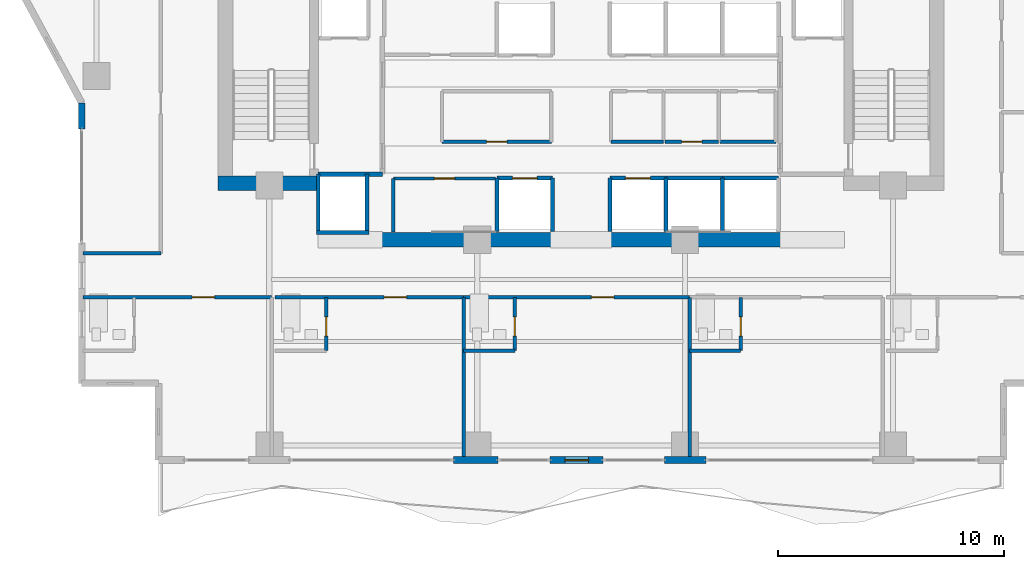
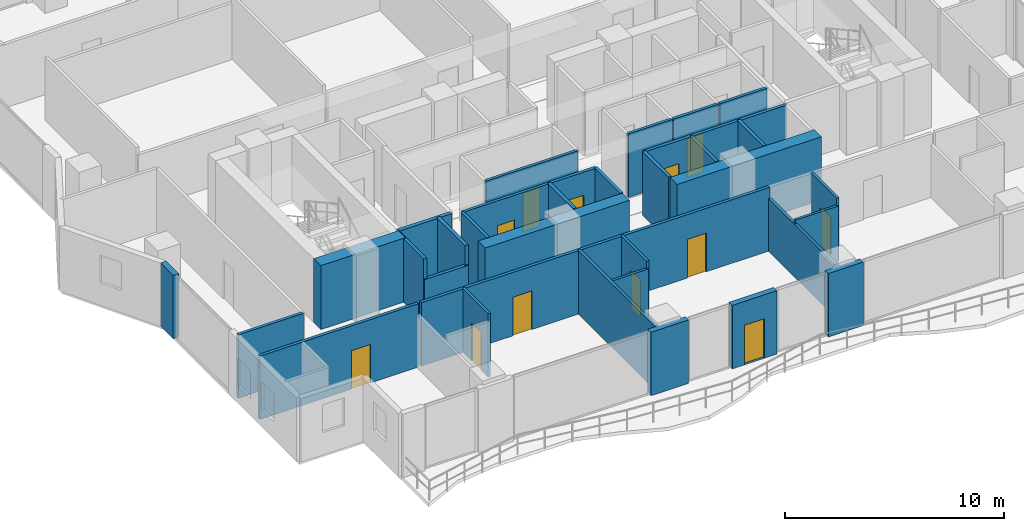
# One storey, part 24 of 32: 37 walls, 12 doors, 12 openings.
"""IFC4 building model written with IfcOpenShell, lengths in metres."""

from ifc_helpers import new_model, si_unit, direction, frame, frame_2d, origin, place, context, subcontext, project, spatial, rectangle, extrude, material, layer, layer_set, type_object, element, fill, save


model = new_model("IFC4")

# Units and contexts
model_context = context("Model", 3, precision=1e-05, world=origin(), true_north=direction((0.0, 1.0)))
body_context = subcontext(model_context, "Body", "Model", "MODEL_VIEW")
ifc_project = project(units=[si_unit("LENGTHUNIT", "METRE"), si_unit("AREAUNIT", "SQUARE_METRE"), si_unit("VOLUMEUNIT", "CUBIC_METRE"), si_unit("PLANEANGLEUNIT", "RADIAN"), si_unit("MASSUNIT", "GRAM", prefix="KILO")], contexts=[model_context])

# Site, building, storey
site_placement = place(None, origin())
site = spatial("IfcSite", under=ifc_project, at=site_placement, CompositionType="ELEMENT")
building_placement = place(site_placement, origin())
building = spatial("IfcBuilding", under=site, at=building_placement, Name="Zuhayl Quay Hotel", CompositionType="ELEMENT")
storey_placement = place(building_placement, frame((0.0, 0.0, 177.39990234375)))
storey = spatial("IfcBuildingStorey", under=building, at=storey_placement, Name="L44", CompositionType="ELEMENT", Elevation=177.39990234375)

# Walls
ifc_material_1 = material(Name="Concrete C50/60", Category="concrete")
ifc_layer_1 = layer(ifc_material_1, 0.64990234375, Name="Concrete C50/60", Category="concrete")
ifc_layer_set_1 = layer_set([ifc_layer_1], Name="Concrete C50/60")
wall_type_1 = type_object("IfcWallType", Name="WL_CORE_650", PredefinedType="SHEAR", material=ifc_layer_set_1)
wall_1_placement = place(storey_placement, frame((-16.06005859375, 4.64501953125, 0.0), z_axis=(0.0, 0.0, 1.0), x_axis=(1.0, 0.0, 0.0)))
element("IfcWall", 1, at=wall_1_placement, inside=storey, type_object=wall_type_1, Name="L44 Core Shear Wall CW_SW", PredefinedType="SHEAR", context=body_context, shape_type="SweptSolid", body=[
    extrude(rectangle(XDim=4.4599609375, YDim=0.64990234375, at=frame_2d((2.22998046875, 0.0))), origin(), (0.0, 0.0, 1.0), 3.56005859375),
])
for number, where, z_axis, x_axis, name in (
    (2, (-8.85009765625, 2.14990234375, 0.0), (0.0, 0.0, 1.0), (1.0, 0.0, 0.0), "L44 Core Shear Wall CW_SC_W"),
    (3, (1.25, 2.14990234375, 0.0), (0.0, 0.0, 1.0), (1.0, 0.0, 0.0), "L44 Core Shear Wall CW_SC_E"),
):
    element("IfcWall", number, at=place(storey_placement, frame(where, z_axis=z_axis, x_axis=x_axis)), inside=storey, type_object=wall_type_1, Name=name, PredefinedType="SHEAR", context=body_context, shape_type="SweptSolid", body=[
        extrude(rectangle(XDim=7.60009765625, YDim=0.64990234375, at=frame_2d((3.800048828125, 0.0))), origin(), (0.0, 0.0, 1.0), 3.530029296875),
    ])
ifc_material_2 = material(Name="Precast concrete C45/55", Category="concrete")
ifc_layer_2 = layer(ifc_material_2, 0.300048828125, Name="Precast concrete C45/55", Category="concrete")
ifc_layer_set_2 = layer_set([ifc_layer_2], Name="Precast concrete C45/55")
wall_type_2 = type_object("IfcWallType", Name="WL_EXT_300", PredefinedType="STANDARD", material=ifc_layer_set_2)
wall_2_placement = place(storey_placement, frame((-22.10009765625, 7.050048828125, 0.0), z_axis=(0.0, 0.0, 1.0), x_axis=(0.0, 1.0, 0.0)))
element("IfcWall", 4, at=wall_2_placement, inside=storey, type_object=wall_type_2, Name="L44 Exterior Precast Wall ENV_L44_E02_EW2", PredefinedType="STANDARD", context=body_context, shape_type="SweptSolid", body=[
    extrude(rectangle(XDim=1.14990234375, YDim=0.300048828125, at=frame_2d((0.574951171875, 0.0))), origin(), (0.0, 0.0, 1.0), 3.530029296875),
])
wall_3_placement = place(storey_placement, frame((5.52001953125, -7.60009765625, 0.0), z_axis=(0.0, 0.0, 1.0), x_axis=(-1.0, 0.0, 0.0)))
element("IfcWall", 5, at=wall_3_placement, inside=storey, type_object=wall_type_2, Name="L44 Exterior Precast Wall ENV_L44_S_EW3", PredefinedType="STANDARD", context=body_context, shape_type="SweptSolid", body=[
    extrude(rectangle(XDim=1.840087890625, YDim=0.300048828125, at=frame_2d((0.919921875, 0.0))), origin(), (0.0, 0.0, 1.0), 3.530029296875),
])

# Wall, opening, door
wall_4_placement = place(storey_placement, frame((0.97509765625, -7.60009765625, 0.0), z_axis=(0.0, 0.0, 1.0), x_axis=(-1.0, 0.0, 0.0)))
wall_4 = element("IfcWall", 6, at=wall_4_placement, inside=storey, type_object=wall_type_2, Name="L44 Exterior Precast Wall ENV_L44_S_EW4", PredefinedType="STANDARD", context=body_context, shape_type="SweptSolid", body=[
    extrude(rectangle(XDim=2.35009765625, YDim=0.300048828125, at=frame_2d((1.175048828125, 0.0))), origin(), (0.0, 0.0, 1.0), 3.530029296875),
])
opening_1_placement = place(wall_4_placement, frame((0.64990234375, 0.0, 0.0)))
opening_1 = element("IfcOpeningElement", 7, at=opening_1_placement, cuts=wall_4, Name="Opening DG1", PredefinedType="OPENING", context=body_context, shape_type="SweptSolid", body=[
    extrude(rectangle(XDim=1.050048828125, YDim=2.199951171875, at=frame_2d((0.52490234375, 1.10009765625))), frame((0.0, 0.159912109375, 0.0), z_axis=(0.0, -1.0, 0.0), x_axis=(1.0, 0.0, 0.0)), (0.0, 0.0, 1.0), 0.320068359375),
])
ifc_material_3 = material(Name="Anodised Aluminium and Dark Solar Glass", Category="aluminium")
door_type_1 = type_object("IfcDoorType", Name="DR_EXT_TERR_1050", OperationType="NOTDEFINED", PredefinedType="DOOR", material=ifc_material_3)
door_1_placement = place(opening_1_placement, origin())
door_1 = element("IfcDoor", 8, at=door_1_placement, inside=storey, type_object=door_type_1, Name="L44 South Rippling Balcony Door", OperationType="SINGLE_SWING_RIGHT", OverallHeight=2.199951171875, OverallWidth=1.050048828125, PredefinedType="DOOR", context=body_context, shape_type="SweptSolid", body=[
    extrude(rectangle(XDim=1.050048828125, YDim=2.199951171875, at=frame_2d((0.52490234375, 1.10009765625))), frame((0.0, 0.02490234375, 0.0), z_axis=(0.0, -1.0, 0.0), x_axis=(1.0, 0.0, 0.0)), (0.0, 0.0, 1.0), 0.050048828125),
])
fill(opening_1, door_1)

# Wall
wall_5_placement = place(storey_placement, frame((-3.679931640625, -7.60009765625, 0.0), z_axis=(0.0, 0.0, 1.0), x_axis=(-1.0, 0.0, 0.0)))
element("IfcWall", 9, at=wall_5_placement, inside=storey, type_object=wall_type_2, Name="L44 Exterior Precast Wall ENV_L44_S_EW5", PredefinedType="STANDARD", context=body_context, shape_type="SweptSolid", body=[
    extrude(rectangle(XDim=1.969970703125, YDim=0.300048828125, at=frame_2d((0.98486328125, 0.0))), origin(), (0.0, 0.0, 1.0), 3.530029296875),
])

# Wall, opening, door
ifc_material_4 = material(Name="Acoustic Gypsum Partition STC-58")
ifc_layer_3 = layer(ifc_material_4, 0.14990234375, Name="Acoustic Gypsum Partition STC-58")
ifc_layer_set_3 = layer_set([ifc_layer_3], Name="Acoustic Gypsum Partition STC-58")
wall_type_3 = type_object("IfcWallType", Name="WL_PART_150", PredefinedType="PARTITIONING", material=ifc_layer_set_3)
wall_6_placement = place(storey_placement, frame((-8.31005859375, 4.860107421875, 0.0), z_axis=(0.0, 0.0, 1.0), x_axis=(1.0, 0.0, 0.0)))
wall_6 = element("IfcWall", 10, at=wall_6_placement, inside=storey, type_object=wall_type_3, Name="L44 Partition IW_L44_FLP_S_N", PredefinedType="PARTITIONING", context=body_context, shape_type="SweptSolid", body=[
    extrude(rectangle(XDim=4.52001953125, YDim=0.14990234375, at=frame_2d((2.260009765625, 0.0))), origin(), (0.0, 0.0, 1.0), 3.530029296875),
])
opening_2_placement = place(wall_6_placement, frame((1.81005859375, 0.0, 0.0)))
opening_2 = element("IfcOpeningElement", 11, at=opening_2_placement, cuts=wall_6, Name="Opening D06", PredefinedType="OPENING", context=body_context, shape_type="SweptSolid", body=[
    extrude(rectangle(XDim=0.89990234375, YDim=2.14990234375, at=frame_2d((0.449951171875, 1.074951171875))), frame((0.0, 0.0849609375, 0.0), z_axis=(0.0, -1.0, 0.0), x_axis=(1.0, 0.0, 0.0)), (0.0, 0.0, 1.0), 0.169921875),
])
ifc_material_5 = material(Name="Steel ASTM A992 Grade 50", Category="steel")
door_type_2 = type_object("IfcDoorType", Name="DR_INT_900", OperationType="NOTDEFINED", PredefinedType="DOOR", material=ifc_material_5)
door_2_placement = place(opening_2_placement, origin())
door_2 = element("IfcDoor", 12, at=door_2_placement, inside=storey, type_object=door_type_2, Name="L44 Tea Pantry West Door", OperationType="SINGLE_SWING_RIGHT", OverallHeight=2.14990234375, OverallWidth=0.89990234375, PredefinedType="DOOR", context=body_context, shape_type="SweptSolid", body=[
    extrude(rectangle(XDim=0.89990234375, YDim=2.14990234375, at=frame_2d((0.449951171875, 1.074951171875))), frame((0.0, 0.02490234375, 0.0), z_axis=(0.0, -1.0, 0.0), x_axis=(1.0, 0.0, 0.0)), (0.0, 0.0, 1.0), 0.050048828125),
])
fill(opening_2, door_2)

wall_7_placement = place(storey_placement, frame((-6.159912109375, 6.47998046875, 0.0), z_axis=(0.0, 0.0, 1.0), x_axis=(1.0, 0.0, 0.0)))
wall_7 = element("IfcWall", 13, at=wall_7_placement, inside=storey, type_object=wall_type_3, Name="L44 Partition IW_L44_CORE_SV_S", PredefinedType="PARTITIONING", context=body_context, shape_type="SweptSolid", body=[
    extrude(rectangle(XDim=4.83984375, YDim=0.14990234375, at=frame_2d((2.419921875, 0.0))), origin(), (0.0, 0.0, 1.0), 3.530029296875),
])
opening_3_placement = place(wall_7_placement, frame((1.969970703125, 0.0, 0.0)))
opening_3 = element("IfcOpeningElement", 14, at=opening_3_placement, cuts=wall_7, Name="Opening D06", PredefinedType="OPENING", context=body_context, shape_type="SweptSolid", body=[
    extrude(rectangle(XDim=0.89990234375, YDim=2.14990234375, at=frame_2d((0.449951171875, 1.074951171875))), frame((0.0, 0.0849609375, 0.0), z_axis=(0.0, -1.0, 0.0), x_axis=(1.0, 0.0, 0.0)), (0.0, 0.0, 1.0), 0.169921875),
])
door_3_placement = place(opening_3_placement, origin())
door_3 = element("IfcDoor", 15, at=door_3_placement, inside=storey, type_object=door_type_2, Name="L44 Core Ice and Linen Store Door", OperationType="SINGLE_SWING_RIGHT", OverallHeight=2.14990234375, OverallWidth=0.89990234375, PredefinedType="DOOR", context=body_context, shape_type="SweptSolid", body=[
    extrude(rectangle(XDim=0.89990234375, YDim=2.14990234375, at=frame_2d((0.449951171875, 1.074951171875))), frame((0.0, 0.02490234375, 0.0), z_axis=(0.0, -1.0, 0.0), x_axis=(1.0, 0.0, 0.0)), (0.0, 0.0, 1.0), 0.050048828125),
])
fill(opening_3, door_3)

wall_8_placement = place(storey_placement, frame((3.699951171875, 6.47998046875, 0.0), z_axis=(0.0, 0.0, 1.0), x_axis=(1.0, 0.0, 0.0)))
wall_8 = element("IfcWall", 16, at=wall_8_placement, inside=storey, type_object=wall_type_3, Name="L44 Partition IW_L44_CORE_E2_S", PredefinedType="PARTITIONING", context=body_context, shape_type="SweptSolid", body=[
    extrude(rectangle(XDim=2.380126953125, YDim=0.14990234375, at=frame_2d((1.18994140625, 0.0))), origin(), (0.0, 0.0, 1.0), 3.530029296875),
])
opening_4_placement = place(wall_8_placement, frame((0.739990234375, 0.0, 0.0)))
opening_4 = element("IfcOpeningElement", 17, at=opening_4_placement, cuts=wall_8, Name="Opening D06", PredefinedType="OPENING", context=body_context, shape_type="SweptSolid", body=[
    extrude(rectangle(XDim=0.89990234375, YDim=2.14990234375, at=frame_2d((0.449951171875, 1.074951171875))), frame((0.0, 0.0849609375, 0.0), z_axis=(0.0, -1.0, 0.0), x_axis=(1.0, 0.0, 0.0)), (0.0, 0.0, 1.0), 0.169921875),
])
door_4_placement = place(opening_4_placement, origin())
door_4 = element("IfcDoor", 18, at=door_4_placement, inside=storey, type_object=door_type_2, Name="L44 Data Closet Door", OperationType="SINGLE_SWING_RIGHT", OverallHeight=2.14990234375, OverallWidth=0.89990234375, PredefinedType="DOOR", context=body_context, shape_type="SweptSolid", body=[
    extrude(rectangle(XDim=0.89990234375, YDim=2.14990234375, at=frame_2d((0.449951171875, 1.074951171875))), frame((0.0, 0.02490234375, 0.0), z_axis=(0.0, -1.0, 0.0), x_axis=(1.0, 0.0, 0.0)), (0.0, 0.0, 1.0), 0.050048828125),
])
fill(opening_4, door_4)

# Walls
wall_9_placement = place(storey_placement, frame((-8.31005859375, 2.489990234375, 0.0), z_axis=(0.0, 0.0, 1.0), x_axis=(0.0, 1.0, 0.0)))
element("IfcWall", 19, at=wall_9_placement, inside=storey, type_object=wall_type_3, Name="L44 Partition IW_L44_FLP_S_W", PredefinedType="PARTITIONING", context=body_context, shape_type="SweptSolid", body=[
    extrude(rectangle(XDim=2.3701171875, YDim=0.14990234375, at=frame_2d((1.18505859375, 0.0))), origin(), (0.0, 0.0, 1.0), 3.530029296875),
])
wall_10_placement = place(storey_placement, frame((1.320068359375, 6.47998046875, 0.0), z_axis=(0.0, 0.0, 1.0), x_axis=(1.0, 0.0, 0.0)))
element("IfcWall", 20, at=wall_10_placement, inside=storey, type_object=wall_type_3, Name="L44 Partition IW_L44_CORE_E1_S", PredefinedType="PARTITIONING", context=body_context, shape_type="SweptSolid", body=[
    extrude(rectangle(XDim=2.31982421875, YDim=0.14990234375, at=frame_2d((1.159912109375, 0.0))), origin(), (0.0, 0.0, 1.0), 3.530029296875),
])
wall_11_placement = place(storey_placement, frame((6.139892578125, 6.47998046875, 0.0), z_axis=(0.0, 0.0, 1.0), x_axis=(1.0, 0.0, 0.0)))
element("IfcWall", 21, at=wall_11_placement, inside=storey, type_object=wall_type_3, Name="L44 Partition IW_L44_CORE_E3_S", PredefinedType="PARTITIONING", context=body_context, shape_type="SweptSolid", body=[
    extrude(rectangle(XDim=2.47021484375, YDim=0.14990234375, at=frame_2d((1.235107421875, 0.0))), origin(), (0.0, 0.0, 1.0), 3.530029296875),
])
wall_12_placement = place(storey_placement, frame((-5.199951171875, -7.52001953125, 0.0), z_axis=(0.0, 0.0, 1.0), x_axis=(0.0, 1.0, 0.0)))
element("IfcWall", 22, at=wall_12_placement, inside=storey, type_object=wall_type_3, Name="L44 Partition IW_L44_SU01B_E", PredefinedType="PARTITIONING", context=body_context, shape_type="SweptSolid", body=[
    extrude(rectangle(XDim=7.1201171875, YDim=0.14990234375, at=frame_2d((3.56005859375, 0.0))), origin(), (0.0, 0.0, 1.0), 3.530029296875),
])
wall_13_placement = place(storey_placement, frame((4.800048828125, -7.52001953125, 0.0), z_axis=(0.0, 0.0, 1.0), x_axis=(0.0, 1.0, 0.0)))
element("IfcWall", 23, at=wall_13_placement, inside=storey, type_object=wall_type_3, Name="L44 Partition IW_L44_SU02_E", PredefinedType="PARTITIONING", context=body_context, shape_type="SweptSolid", body=[
    extrude(rectangle(XDim=7.1201171875, YDim=0.14990234375, at=frame_2d((3.56005859375, 0.0))), origin(), (0.0, 0.0, 1.0), 2.923095703125),
])
wall_14_placement = place(storey_placement, frame((-22.0400390625, 1.550048828125, 0.0), z_axis=(0.0, 0.0, 1.0), x_axis=(1.0, 0.0, 0.0)))
element("IfcWall", 24, at=wall_14_placement, inside=storey, type_object=wall_type_3, Name="L44 Partition IW_L44_WPROW_1_S", PredefinedType="PARTITIONING", context=body_context, shape_type="SweptSolid", body=[
    extrude(rectangle(XDim=3.43994140625, YDim=0.14990234375, at=frame_2d((1.719970703125, 0.0))), origin(), (0.0, 0.0, 1.0), 3.530029296875),
])

# Wall, opening, door
ifc_layer_4 = layer(ifc_material_4, 0.159912109375, Name="Acoustic Gypsum Partition STC-58")
ifc_layer_set_4 = layer_set([ifc_layer_4], Name="Acoustic Gypsum Partition STC-58")
wall_type_4 = type_object("IfcWallType", Name="WL_PART_CORR_160", PredefinedType="PARTITIONING", material=ifc_layer_set_4)
wall_15_placement = place(storey_placement, frame((-22.0400390625, -0.39990234375, 0.0), z_axis=(0.0, 0.0, 1.0), x_axis=(1.0, 0.0, 0.0)))
wall_15 = element("IfcWall", 25, at=wall_15_placement, inside=storey, type_object=wall_type_4, Name="L44 Partition IW_L44_SU01A_COR", PredefinedType="PARTITIONING", context=body_context, shape_type="SweptSolid", body=[
    extrude(rectangle(XDim=8.340087890625, YDim=0.159912109375, at=frame_2d((4.169921875, 0.0))), origin(), (0.0, 0.0, 1.0), 3.530029296875),
])
opening_5_placement = place(wall_15_placement, frame((4.820068359375, 0.0, 0.0)))
opening_5 = element("IfcOpeningElement", 26, at=opening_5_placement, cuts=wall_15, Name="Opening D03L", PredefinedType="OPENING", context=body_context, shape_type="SweptSolid", body=[
    extrude(rectangle(XDim=1.0, YDim=2.14990234375, at=frame_2d((0.5, 1.074951171875))), frame((0.0, 0.08984375, 0.0), z_axis=(0.0, -1.0, 0.0), x_axis=(1.0, 0.0, 0.0)), (0.0, 0.0, 1.0), 0.179931640625),
])
ifc_material_6 = material(Name="Solid Walnut Acoustic Fire Door")
door_type_3 = type_object("IfcDoorType", Name="DR_SUITE_1000", OperationType="NOTDEFINED", PredefinedType="DOOR", material=ifc_material_6)
door_5_placement = place(opening_5_placement, origin())
door_5 = element("IfcDoor", 27, at=door_5_placement, inside=storey, type_object=door_type_3, Name="L44 City-View Junior Suite L44-01A Entrance Door", OperationType="SINGLE_SWING_RIGHT", OverallHeight=2.14990234375, OverallWidth=1.0, PredefinedType="DOOR", context=body_context, shape_type="SweptSolid", body=[
    extrude(rectangle(XDim=1.0, YDim=2.14990234375, at=frame_2d((0.5, 1.074951171875))), frame((0.0, 0.02490234375, 0.0), z_axis=(0.0, -1.0, 0.0), x_axis=(1.0, 0.0, 0.0)), (0.0, 0.0, 1.0), 0.050048828125),
])
fill(opening_5, door_5)

wall_16_placement = place(storey_placement, frame((-13.5400390625, -0.39990234375, 0.0), z_axis=(0.0, 0.0, 1.0), x_axis=(1.0, 0.0, 0.0)))
wall_16 = element("IfcWall", 28, at=wall_16_placement, inside=storey, type_object=wall_type_4, Name="L44 Partition IW_L44_SU01B_COR", PredefinedType="PARTITIONING", context=body_context, shape_type="SweptSolid", body=[
    extrude(rectangle(XDim=8.340087890625, YDim=0.159912109375, at=frame_2d((4.169921875, 0.0))), origin(), (0.0, 0.0, 1.0), 3.530029296875),
])
opening_6_placement = place(wall_16_placement, frame((4.820068359375, 0.0, 0.0)))
opening_6 = element("IfcOpeningElement", 29, at=opening_6_placement, cuts=wall_16, Name="Opening D03L", PredefinedType="OPENING", context=body_context, shape_type="SweptSolid", body=[
    extrude(rectangle(XDim=1.0, YDim=2.14990234375, at=frame_2d((0.5, 1.074951171875))), frame((0.0, 0.08984375, 0.0), z_axis=(0.0, -1.0, 0.0), x_axis=(1.0, 0.0, 0.0)), (0.0, 0.0, 1.0), 0.179931640625),
])
door_6_placement = place(opening_6_placement, origin())
door_6 = element("IfcDoor", 30, at=door_6_placement, inside=storey, type_object=door_type_3, Name="L44 City-View Junior Suite L44-01B Entrance Door", OperationType="SINGLE_SWING_RIGHT", OverallHeight=2.14990234375, OverallWidth=1.0, PredefinedType="DOOR", context=body_context, shape_type="SweptSolid", body=[
    extrude(rectangle(XDim=1.0, YDim=2.14990234375, at=frame_2d((0.5, 1.074951171875))), frame((0.0, 0.02490234375, 0.0), z_axis=(0.0, -1.0, 0.0), x_axis=(1.0, 0.0, 0.0)), (0.0, 0.0, 1.0), 0.050048828125),
])
fill(opening_6, door_6)

wall_17_placement = place(storey_placement, frame((-5.199951171875, -0.39990234375, 0.0), z_axis=(0.0, 0.0, 1.0), x_axis=(1.0, 0.0, 0.0)))
wall_17 = element("IfcWall", 31, at=wall_17_placement, inside=storey, type_object=wall_type_4, Name="L44 Partition IW_L44_SU02_COR", PredefinedType="PARTITIONING", context=body_context, shape_type="SweptSolid", body=[
    extrude(rectangle(XDim=10.0, YDim=0.159912109375, at=frame_2d((5.0, 0.0))), origin(), (0.0, 0.0, 1.0), 3.530029296875),
])
opening_7_placement = place(wall_17_placement, frame((5.64990234375, 0.0, 0.0)))
opening_7 = element("IfcOpeningElement", 32, at=opening_7_placement, cuts=wall_17, Name="Opening D03L", PredefinedType="OPENING", context=body_context, shape_type="SweptSolid", body=[
    extrude(rectangle(XDim=1.0, YDim=2.14990234375, at=frame_2d((0.5, 1.074951171875))), frame((0.0, 0.08984375, 0.0), z_axis=(0.0, -1.0, 0.0), x_axis=(1.0, 0.0, 0.0)), (0.0, 0.0, 1.0), 0.179931640625),
])
door_7_placement = place(opening_7_placement, origin())
door_7 = element("IfcDoor", 33, at=door_7_placement, inside=storey, type_object=door_type_3, Name="L44 City-View Junior Suite L44-02 Entrance Door", OperationType="SINGLE_SWING_RIGHT", OverallHeight=2.14990234375, OverallWidth=1.0, PredefinedType="DOOR", context=body_context, shape_type="SweptSolid", body=[
    extrude(rectangle(XDim=1.0, YDim=2.14990234375, at=frame_2d((0.5, 1.074951171875))), frame((0.0, 0.02490234375, 0.0), z_axis=(0.0, -1.0, 0.0), x_axis=(1.0, 0.0, 0.0)), (0.0, 0.0, 1.0), 0.050048828125),
])
fill(opening_7, door_7)

ifc_material_7 = material(Name="Moisture-Resistant Sanitarychase Gypsum")
ifc_layer_5 = layer(ifc_material_7, 0.135009765625, Name="Moisture-Resistant Sanitarychase Gypsum")
ifc_layer_set_5 = layer_set([ifc_layer_5], Name="Moisture-Resistant Sanitarychase Gypsum")
wall_type_5 = type_object("IfcWallType", Name="WL_PART_PLUMB_150", PredefinedType="PLUMBINGWALL", material=ifc_layer_set_5)
wall_18_placement = place(storey_placement, frame((-11.280029296875, -2.760009765625, 0.0), z_axis=(0.0, 0.0, 1.0), x_axis=(0.0, 1.0, 0.0)))
wall_18 = element("IfcWall", 34, at=wall_18_placement, inside=storey, type_object=wall_type_5, Name="L44 Partition IW_L44_SU01B_BE", PredefinedType="PLUMBINGWALL", context=body_context, shape_type="SweptSolid", body=[
    extrude(rectangle(XDim=2.360107421875, YDim=0.135009765625, at=frame_2d((1.18017578125, 0.0))), origin(), (0.0, 0.0, 1.0), 3.530029296875),
])
opening_8_placement = place(wall_18_placement, frame((0.64990234375, 0.0, 0.0)))
opening_8 = element("IfcOpeningElement", 35, at=opening_8_placement, cuts=wall_18, Name="Opening D04", PredefinedType="OPENING", context=body_context, shape_type="SweptSolid", body=[
    extrude(rectangle(XDim=0.85009765625, YDim=2.10009765625, at=frame_2d((0.425048828125, 1.050048828125))), frame((0.0, 0.077392578125, 0.0), z_axis=(0.0, -1.0, 0.0), x_axis=(1.0, 0.0, 0.0)), (0.0, 0.0, 1.0), 0.155029296875),
])
ifc_material_8 = material(Name="Moisture-Resistant Walnut Veneer")
door_type_4 = type_object("IfcDoorType", Name="DR_BATH_850", OperationType="NOTDEFINED", PredefinedType="DOOR", material=ifc_material_8)
door_8_placement = place(opening_8_placement, origin())
door_8 = element("IfcDoor", 36, at=door_8_placement, inside=storey, type_object=door_type_4, Name="L44 City-View Junior Suite L44-01B En-Suite Door", OperationType="SINGLE_SWING_LEFT", OverallHeight=2.10009765625, OverallWidth=0.85009765625, PredefinedType="DOOR", context=body_context, shape_type="SweptSolid", body=[
    extrude(rectangle(XDim=0.85009765625, YDim=2.10009765625, at=frame_2d((0.425048828125, 1.050048828125))), frame((0.0, 0.02490234375, 0.0), z_axis=(0.0, -1.0, 0.0), x_axis=(1.0, 0.0, 0.0)), (0.0, 0.0, 1.0), 0.050048828125),
])
fill(opening_8, door_8)

wall_19_placement = place(storey_placement, frame((-2.93994140625, -2.760009765625, 0.0), z_axis=(0.0, 0.0, 1.0), x_axis=(0.0, 1.0, 0.0)))
wall_19 = element("IfcWall", 37, at=wall_19_placement, inside=storey, type_object=wall_type_5, Name="L44 Partition IW_L44_SU02_BE", PredefinedType="PLUMBINGWALL", context=body_context, shape_type="SweptSolid", body=[
    extrude(rectangle(XDim=2.360107421875, YDim=0.135009765625, at=frame_2d((1.18017578125, 0.0))), origin(), (0.0, 0.0, 1.0), 3.530029296875),
])
opening_9_placement = place(wall_19_placement, frame((0.64990234375, 0.0, 0.0)))
opening_9 = element("IfcOpeningElement", 38, at=opening_9_placement, cuts=wall_19, Name="Opening D04", PredefinedType="OPENING", context=body_context, shape_type="SweptSolid", body=[
    extrude(rectangle(XDim=0.85009765625, YDim=2.10009765625, at=frame_2d((0.425048828125, 1.050048828125))), frame((0.0, 0.077392578125, 0.0), z_axis=(0.0, -1.0, 0.0), x_axis=(1.0, 0.0, 0.0)), (0.0, 0.0, 1.0), 0.155029296875),
])
door_9_placement = place(opening_9_placement, origin())
door_9 = element("IfcDoor", 39, at=door_9_placement, inside=storey, type_object=door_type_4, Name="L44 City-View Junior Suite L44-02 En-Suite Door", OperationType="SINGLE_SWING_LEFT", OverallHeight=2.10009765625, OverallWidth=0.85009765625, PredefinedType="DOOR", context=body_context, shape_type="SweptSolid", body=[
    extrude(rectangle(XDim=0.85009765625, YDim=2.10009765625, at=frame_2d((0.425048828125, 1.050048828125))), frame((0.0, 0.02490234375, 0.0), z_axis=(0.0, -1.0, 0.0), x_axis=(1.0, 0.0, 0.0)), (0.0, 0.0, 1.0), 0.050048828125),
])
fill(opening_9, door_9)

wall_20_placement = place(storey_placement, frame((7.06005859375, -2.760009765625, 0.0), z_axis=(0.0, 0.0, 1.0), x_axis=(0.0, 1.0, 0.0)))
wall_20 = element("IfcWall", 40, at=wall_20_placement, inside=storey, type_object=wall_type_5, Name="L44 Partition IW_L44_SU03A_BE", PredefinedType="PLUMBINGWALL", context=body_context, shape_type="SweptSolid", body=[
    extrude(rectangle(XDim=2.360107421875, YDim=0.135009765625, at=frame_2d((1.18017578125, 0.0))), origin(), (0.0, 0.0, 1.0), 3.530029296875),
])
opening_10_placement = place(wall_20_placement, frame((0.64990234375, 0.0, 0.0)))
opening_10 = element("IfcOpeningElement", 41, at=opening_10_placement, cuts=wall_20, Name="Opening D04", PredefinedType="OPENING", context=body_context, shape_type="SweptSolid", body=[
    extrude(rectangle(XDim=0.85009765625, YDim=2.10009765625, at=frame_2d((0.425048828125, 1.050048828125))), frame((0.0, 0.077392578125, 0.0), z_axis=(0.0, -1.0, 0.0), x_axis=(1.0, 0.0, 0.0)), (0.0, 0.0, 1.0), 0.155029296875),
])
door_10_placement = place(opening_10_placement, origin())
door_10 = element("IfcDoor", 42, at=door_10_placement, inside=storey, type_object=door_type_4, Name="L44 City-View Junior Suite L44-03A En-Suite Door", OperationType="SINGLE_SWING_LEFT", OverallHeight=2.10009765625, OverallWidth=0.85009765625, PredefinedType="DOOR", context=body_context, shape_type="SweptSolid", body=[
    extrude(rectangle(XDim=0.85009765625, YDim=2.10009765625, at=frame_2d((0.425048828125, 1.050048828125))), frame((0.0, 0.02490234375, 0.0), z_axis=(0.0, -1.0, 0.0), x_axis=(1.0, 0.0, 0.0)), (0.0, 0.0, 1.0), 0.050048828125),
])
fill(opening_10, door_10)

# Walls
for number, where, z_axis, x_axis, name in (
    (43, (-5.199951171875, -2.760009765625, 0.0), (0.0, 0.0, 1.0), (1.0, 0.0, 0.0), "L44 Partition IW_L44_SU02_BS"),
    (44, (4.800048828125, -2.760009765625, 0.0), (0.0, 0.0, 1.0), (1.0, 0.0, 0.0), "L44 Partition IW_L44_SU03A_BS"),
):
    element("IfcWall", number, at=place(storey_placement, frame(where, z_axis=z_axis, x_axis=x_axis)), inside=storey, type_object=wall_type_5, Name=name, PredefinedType="PLUMBINGWALL", context=body_context, shape_type="SweptSolid", body=[
        extrude(rectangle(XDim=2.260009765625, YDim=0.135009765625, at=frame_2d((1.1298828125, 0.0))), origin(), (0.0, 0.0, 1.0), 3.1240234375),
    ])

# Wall, opening, door
ifc_material_9 = material(Name="Gypsum Fireboard Assembly EI-90")
ifc_layer_6 = layer(ifc_material_9, 0.1650390625, Name="Gypsum Fireboard Assembly EI-90")
ifc_layer_set_6 = layer_set([ifc_layer_6], Name="Gypsum Fireboard Assembly EI-90")
wall_type_6 = type_object("IfcWallType", Name="WL_PART_SHAFT_160", PredefinedType="PARTITIONING", material=ifc_layer_set_6)
wall_21_placement = place(storey_placement, frame((-3.72998046875, 4.8798828125, 0.0), z_axis=(0.0, 0.0, 1.0), x_axis=(1.0, 0.0, 0.0)))
wall_21 = element("IfcWall", 45, at=wall_21_placement, inside=storey, type_object=wall_type_6, Name="L44 Partition IW_L44_SH_MP1_F", PredefinedType="PARTITIONING", context=body_context, shape_type="SweptSolid", body=[
    extrude(rectangle(XDim=2.4599609375, YDim=0.1650390625, at=frame_2d((1.22998046875, 0.0))), origin(), (0.0, 0.0, 1.0), 3.530029296875),
])
opening_11_placement = place(wall_21_placement, frame((0.679931640625, 0.0, 0.0)))
opening_11 = element("IfcOpeningElement", 46, at=opening_11_placement, cuts=wall_21, Name="Opening LD1", PredefinedType="OPENING", context=body_context, shape_type="SweptSolid", body=[
    extrude(rectangle(XDim=1.10009765625, YDim=2.25, at=frame_2d((0.550048828125, 1.125))), frame((0.0, 0.092529296875, 0.0), z_axis=(0.0, -1.0, 0.0), x_axis=(1.0, 0.0, 0.0)), (0.0, 0.0, 1.0), 0.18505859375),
])
ifc_material_10 = material(Name="Brushed Stainless Steel", Category="steel")
door_type_5 = type_object("IfcDoorType", Name="DR_LIFT_PASS_1100", OperationType="SLIDING_TO_LEFT", PredefinedType="DOOR", material=ifc_material_10)
door_11_placement = place(opening_11_placement, origin())
door_11 = element("IfcDoor", 47, at=door_11_placement, inside=storey, type_object=door_type_5, Name="L44 Lift MP1 Sliding Landing Door", OperationType="SLIDING_TO_LEFT", OverallHeight=2.25, OverallWidth=1.10009765625, PredefinedType="DOOR", context=body_context, shape_type="SweptSolid", body=[
    extrude(rectangle(XDim=1.10009765625, YDim=2.25, at=frame_2d((0.550048828125, 1.125))), frame((0.0, 0.02490234375, 0.0), z_axis=(0.0, -1.0, 0.0), x_axis=(1.0, 0.0, 0.0)), (0.0, 0.0, 1.0), 0.050048828125),
])
fill(opening_11, door_11)

wall_22_placement = place(storey_placement, frame((1.27001953125, 4.8798828125, 0.0), z_axis=(0.0, 0.0, 1.0), x_axis=(1.0, 0.0, 0.0)))
wall_22 = element("IfcWall", 48, at=wall_22_placement, inside=storey, type_object=wall_type_6, Name="L44 Partition IW_L44_SH_MP2_F", PredefinedType="PARTITIONING", context=body_context, shape_type="SweptSolid", body=[
    extrude(rectangle(XDim=2.47998046875, YDim=0.1650390625, at=frame_2d((1.239990234375, 0.0))), origin(), (0.0, 0.0, 1.0), 3.530029296875),
])
opening_12_placement = place(wall_22_placement, frame((0.68994140625, 0.0, 0.0)))
opening_12 = element("IfcOpeningElement", 49, at=opening_12_placement, cuts=wall_22, Name="Opening LD1", PredefinedType="OPENING", context=body_context, shape_type="SweptSolid", body=[
    extrude(rectangle(XDim=1.10009765625, YDim=2.25, at=frame_2d((0.550048828125, 1.125))), frame((0.0, 0.092529296875, 0.0), z_axis=(0.0, -1.0, 0.0), x_axis=(1.0, 0.0, 0.0)), (0.0, 0.0, 1.0), 0.18505859375),
])
door_12_placement = place(opening_12_placement, origin())
door_12 = element("IfcDoor", 50, at=door_12_placement, inside=storey, type_object=door_type_5, Name="L44 Lift MP2 Sliding Landing Door", OperationType="SLIDING_TO_LEFT", OverallHeight=2.25, OverallWidth=1.10009765625, PredefinedType="DOOR", context=body_context, shape_type="SweptSolid", body=[
    extrude(rectangle(XDim=1.10009765625, YDim=2.25, at=frame_2d((0.550048828125, 1.125))), frame((0.0, 0.02490234375, 0.0), z_axis=(0.0, -1.0, 0.0), x_axis=(1.0, 0.0, 0.0)), (0.0, 0.0, 1.0), 0.050048828125),
])
fill(opening_12, door_12)

# Walls
for number, where, z_axis, x_axis, name in (
    (51, (-3.72998046875, 2.52001953125, 0.0), (0.0, 0.0, 1.0), (0.0, 1.0, 0.0), "L44 Partition IW_L44_SH_MP1_W"),
    (52, (-1.27001953125, 2.52001953125, 0.0), (0.0, 0.0, 1.0), (0.0, 1.0, 0.0), "L44 Partition IW_L44_SH_MP1_E"),
    (53, (1.27001953125, 2.52001953125, 0.0), (0.0, 0.0, 1.0), (0.0, 1.0, 0.0), "L44 Partition IW_L44_SH_MP2_W"),
    (54, (3.75, 2.52001953125, 0.0), (0.0, 0.0, 1.0), (0.0, 1.0, 0.0), "L44 Partition IW_L44_SH_MP2_E"),
):
    element("IfcWall", number, at=place(storey_placement, frame(where, z_axis=z_axis, x_axis=x_axis)), inside=storey, type_object=wall_type_6, Name=name, PredefinedType="PARTITIONING", context=body_context, shape_type="SweptSolid", body=[
        extrude(rectangle(XDim=2.35986328125, YDim=0.1650390625, at=frame_2d((1.179931640625, 0.0))), origin(), (0.0, 0.0, 1.0), 3.530029296875),
    ])
wall_23_placement = place(storey_placement, frame((3.75, 4.8798828125, 0.0), z_axis=(0.0, 0.0, 1.0), x_axis=(1.0, 0.0, 0.0)))
element("IfcWall", 55, at=wall_23_placement, inside=storey, type_object=wall_type_6, Name="L44 Partition IW_L44_SH_HP1_F", PredefinedType="PARTITIONING", context=body_context, shape_type="SweptSolid", body=[
    extrude(rectangle(XDim=2.5, YDim=0.1650390625, at=frame_2d((1.25, 0.0))), origin(), (0.0, 0.0, 1.0), 3.530029296875),
])
wall_24_placement = place(storey_placement, frame((6.25, 2.52001953125, 0.0), z_axis=(0.0, 0.0, 1.0), x_axis=(0.0, 1.0, 0.0)))
element("IfcWall", 56, at=wall_24_placement, inside=storey, type_object=wall_type_6, Name="L44 Partition IW_L44_SH_HP1_E", PredefinedType="PARTITIONING", context=body_context, shape_type="SweptSolid", body=[
    extrude(rectangle(XDim=2.35986328125, YDim=0.1650390625, at=frame_2d((1.179931640625, 0.0))), origin(), (0.0, 0.0, 1.0), 3.530029296875),
])
wall_25_placement = place(storey_placement, frame((6.25, 4.8798828125, 0.0), z_axis=(0.0, 0.0, 1.0), x_axis=(1.0, 0.0, 0.0)))
element("IfcWall", 57, at=wall_25_placement, inside=storey, type_object=wall_type_6, Name="L44 Partition IW_L44_SH_HP2_F", PredefinedType="PARTITIONING", context=body_context, shape_type="SweptSolid", body=[
    extrude(rectangle(XDim=2.47998046875, YDim=0.1650390625, at=frame_2d((1.239990234375, 0.0))), origin(), (0.0, 0.0, 1.0), 3.530029296875),
])
wall_26_placement = place(storey_placement, frame((-11.6298828125, 2.469970703125, 0.0), z_axis=(0.0, 0.0, 1.0), x_axis=(0.0, 1.0, 0.0)))
element("IfcWall", 58, at=wall_26_placement, inside=storey, type_object=wall_type_6, Name="L44 Partition IW_L44_RISER_W", PredefinedType="PARTITIONING", context=body_context, shape_type="SweptSolid", body=[
    extrude(rectangle(XDim=2.580078125, YDim=0.1650390625, at=frame_2d((1.2900390625, 0.0))), origin(), (0.0, 0.0, 1.0), 3.530029296875),
])
wall_27_placement = place(storey_placement, frame((-11.7099609375, 2.469970703125, 0.0), z_axis=(0.0, 0.0, 1.0), x_axis=(1.0, 0.0, 0.0)))
element("IfcWall", 59, at=wall_27_placement, inside=storey, type_object=wall_type_6, Name="L44 Partition IW_L44_RISER_S", PredefinedType="PARTITIONING", context=body_context, shape_type="SweptSolid", body=[
    extrude(rectangle(XDim=2.31005859375, YDim=0.1650390625, at=frame_2d((1.155029296875, 0.0))), origin(), (0.0, 0.0, 1.0), 2.43017578125),
])
ifc_layer_7 = layer(ifc_material_9, 0.179931640625, Name="Gypsum Fireboard Assembly EI-90")
ifc_layer_set_7 = layer_set([ifc_layer_7], Name="Gypsum Fireboard Assembly EI-90")
wall_type_7 = type_object("IfcWallType", Name="WL_PART_SHAFT_180", PredefinedType="PARTITIONING", material=ifc_layer_set_7)
wall_28_placement = place(storey_placement, frame((-9.469970703125, 2.449951171875, 0.0), z_axis=(0.0, 0.0, 1.0), x_axis=(0.0, 1.0, 0.0)))
element("IfcWall", 60, at=wall_28_placement, inside=storey, type_object=wall_type_7, Name="L44 Partition IW_L44_RISER_E", PredefinedType="PARTITIONING", context=body_context, shape_type="SweptSolid", body=[
    extrude(rectangle(XDim=2.60009765625, YDim=0.179931640625, at=frame_2d((1.300048828125, 0.0))), origin(), (0.0, 0.0, 1.0), 3.530029296875),
])
ifc_material_11 = material(Name="Gypsum Fireboard Assembly EI-120")
ifc_layer_8 = layer(ifc_material_11, 0.199951171875, Name="Gypsum Fireboard Assembly EI-120")
ifc_layer_set_8 = layer_set([ifc_layer_8], Name="Gypsum Fireboard Assembly EI-120")
wall_type_8 = type_object("IfcWallType", Name="WL_PART_SHAFT_200", PredefinedType="PARTITIONING", material=ifc_layer_set_8)
wall_29_placement = place(storey_placement, frame((-11.64990234375, 5.050048828125, 0.0), z_axis=(0.0, 0.0, 1.0), x_axis=(1.0, 0.0, 0.0)))
element("IfcWall", 61, at=wall_29_placement, inside=storey, type_object=wall_type_8, Name="L44 Partition IW_L44_FSAE_W_S", PredefinedType="PARTITIONING", context=body_context, shape_type="SweptSolid", body=[
    extrude(rectangle(XDim=2.849853515625, YDim=0.199951171875, at=frame_2d((1.4248046875, 0.0))), origin(), (0.0, 0.0, 1.0), 3.530029296875),
])

save(model, "model.ifc")
